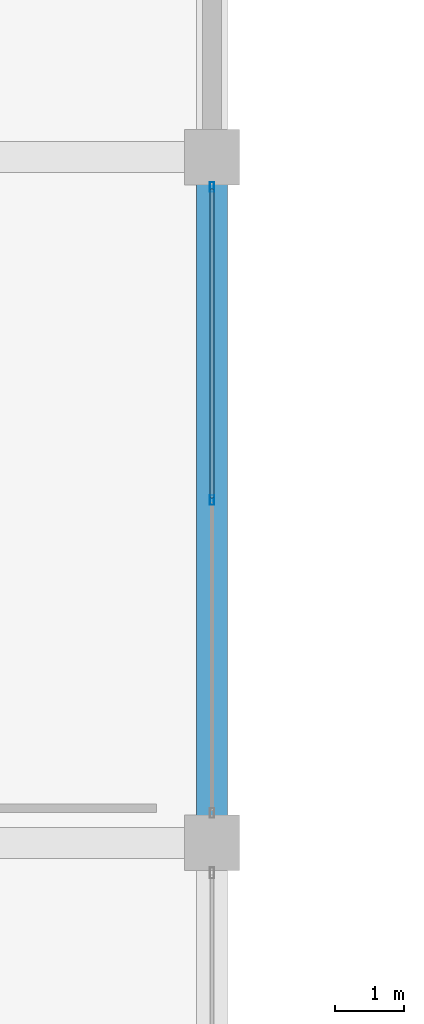
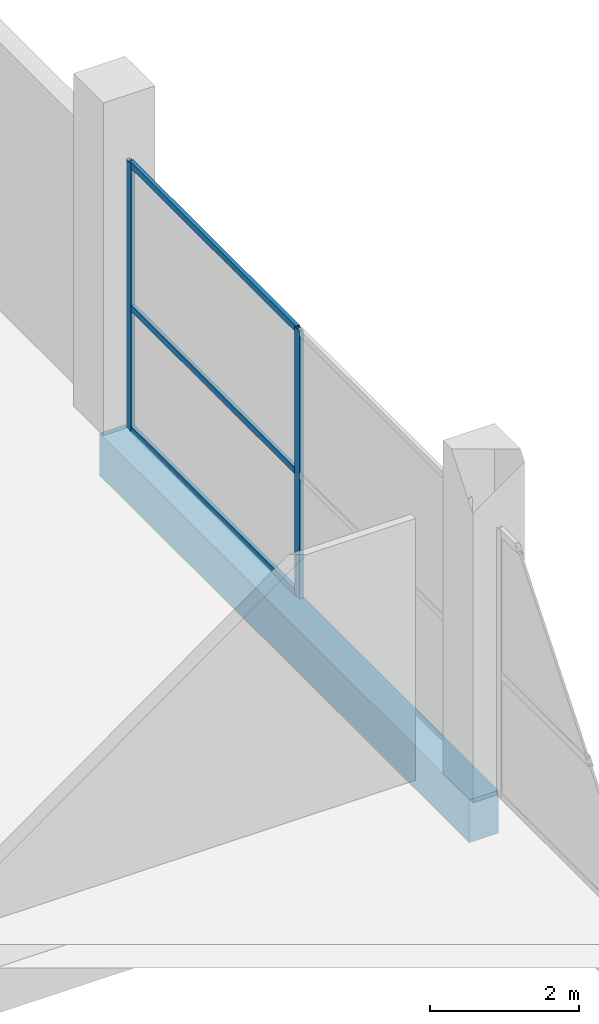
# One storey, part 30 of 72: 5 members, 1 beam, 1 element without a shape of its own.
"""IFC4 building model written with IfcOpenShell, lengths in metres."""

from ifc_helpers import new_model, si_unit, direction, frame, origin, origin_2d, place, context, subcontext, project, spatial, rectangle, hollow_rectangle, extrude, material, layer, layer_set, material_profile, profile_set, type_object, element, aggregate, save


model = new_model("IFC4")

# Units and contexts
model_context = context("Model", 3, precision=1e-05, world=origin(), true_north=direction((0.0, 1.0)))
body_context = subcontext(model_context, "Body", "Model", "MODEL_VIEW")
ifc_project = project(units=[si_unit("LENGTHUNIT", "METRE"), si_unit("AREAUNIT", "SQUARE_METRE"), si_unit("VOLUMEUNIT", "CUBIC_METRE"), si_unit("PLANEANGLEUNIT", "RADIAN"), si_unit("MASSUNIT", "GRAM", prefix="KILO")], contexts=[model_context])

# Site, building, storey
site_placement = place(None, origin())
site = spatial("IfcSite", under=ifc_project, at=site_placement, CompositionType="ELEMENT")
building_placement = place(site_placement, origin())
building = spatial("IfcBuilding", under=site, at=building_placement, Name="Sillaruma Civic Art Gallery", CompositionType="ELEMENT")
storey_placement = place(building_placement, frame((0.0, 0.0, 10.8798828125)))
storey = spatial("IfcBuildingStorey", under=building, at=storey_placement, Name="L02", CompositionType="ELEMENT", Elevation=10.8798828125)

# Beam
ifc_material_1 = material(Name="Concrete H35 (35 MPa)", Category="concrete")
ifc_material_profile_1 = material_profile(ifc_material_1, rectangle(XDim=0.449951171875, YDim=0.699951171875, at=origin_2d()), Name="RCB450x700")
ifc_profile_set_1 = profile_set([ifc_material_profile_1], Name="Concrete H35 (35 MPa)")
beam_type = type_object("IfcBeamType", Name="BM-SPANDREL-RCB450x700", PredefinedType="SPANDREL", material=ifc_profile_set_1)
beam_placement = place(storey_placement, frame((114.39990234375, 69.300048828125, -0.60986328125), z_axis=(0.0, 1.0, 0.0), x_axis=(-1.0, 0.0, 0.0)))
element("IfcBeam", 1, at=beam_placement, inside=storey, type_object=beam_type, Name="Beam BS-03 (L01:N:8-9)", PredefinedType="SPANDREL", context=body_context, shape_type="SweptSolid", body=[
    extrude(rectangle(XDim=0.449951171875, YDim=0.699951171875, at=origin_2d()), origin(), (0.0, 0.0, 1.0), 9.89990234375),
])

# Curtain wall, members
ifc_material_2 = material(Name="Thermally Broken Extruded Aluminium 6063-T6", Category="aluminium")
ifc_layer = layer(ifc_material_2, 0.139892578125, Name="Thermally Broken Extruded Aluminium 6063-T6")
ifc_layer_set = layer_set([ifc_layer], Name="Thermally Broken Extruded Aluminium 6063-T6")
curtain_wall_type = type_object("IfcCurtainWallType", Name="CW-UNI-18", PredefinedType="NOTDEFINED", material=ifc_layer_set)
curtain_wall_placement = place(storey_placement, origin())
curtain_wall = element("IfcCurtainWall", 2, at=curtain_wall_placement, inside=storey, type_object=curtain_wall_type, Name="Unitised Curtain Wall CW-18 (CW-L02-SPE-6)", PredefinedType="NOTDEFINED")
ifc_material_profile_2 = material_profile(ifc_material_2, hollow_rectangle(XDim=0.06005859375, YDim=0.139892578125, WallThickness=0.00341796875, at=origin_2d()), Name="CWM60x140")
ifc_profile_set_2 = profile_set([ifc_material_profile_2], Name="Thermally Broken Extruded Aluminium 6063-T6")
member_type_1 = type_object("IfcMemberType", Name="MEM-MUL-CWM60x140", PredefinedType="MULLION", material=ifc_profile_set_2)
member_1_placement = place(storey_placement, frame((114.39990234375, 74.25, 0.0), z_axis=(0.0, 0.0, 1.0), x_axis=(-1.0, 0.0, 0.0)))
member_1 = element("IfcMember", 3, at=member_1_placement, type_object=member_type_1, Name="CW-18 mullion 2", PredefinedType="MULLION", context=body_context, shape_type="SweptSolid", body=[
    extrude(hollow_rectangle(XDim=0.06005859375, YDim=0.139892578125, WallThickness=0.00341796875, at=origin_2d()), origin(), (0.0, 0.0, 1.0), 4.380126953125),
])
member_2_placement = place(storey_placement, frame((114.39990234375, 78.77001953125, 0.0), z_axis=(0.0, 0.0, 1.0), x_axis=(-1.0, 0.0, 0.0)))
member_2 = element("IfcMember", 4, at=member_2_placement, type_object=member_type_1, Name="CW-18 mullion 3", PredefinedType="MULLION", context=body_context, shape_type="SweptSolid", body=[
    extrude(hollow_rectangle(XDim=0.06005859375, YDim=0.139892578125, WallThickness=0.00341796875, at=origin_2d()), origin(), (0.0, 0.0, 1.0), 4.380126953125),
])
ifc_material_profile_3 = material_profile(ifc_material_2, hollow_rectangle(XDim=0.06005859375, YDim=0.10009765625, WallThickness=0.003173828125, at=origin_2d()), Name="CWT60x100")
ifc_profile_set_3 = profile_set([ifc_material_profile_3], Name="Thermally Broken Extruded Aluminium 6063-T6")
member_type_2 = type_object("IfcMemberType", Name="MEM-TRN-CWT60x100", PredefinedType="USERDEFINED", material=ifc_profile_set_3)
member_3_placement = place(storey_placement, frame((114.39990234375, 74.280029296875, 0.030029296875), z_axis=(0.0, 1.0, 0.0), x_axis=(-1.0, 0.0, 0.0)))
member_3 = element("IfcMember", 5, at=member_3_placement, type_object=member_type_2, Name="CW-18 transom 2.1", ObjectType="TRANSOM", PredefinedType="USERDEFINED", context=body_context, shape_type="SweptSolid", body=[
    extrude(hollow_rectangle(XDim=0.06005859375, YDim=0.10009765625, WallThickness=0.003173828125, at=origin_2d()), origin(), (0.0, 0.0, 1.0), 4.4599609375),
])
member_4_placement = place(storey_placement, frame((114.39990234375, 74.280029296875, 2.014892578125), z_axis=(0.0, 1.0, 0.0), x_axis=(-1.0, 0.0, 0.0)))
member_4 = element("IfcMember", 6, at=member_4_placement, type_object=member_type_2, Name="CW-18 transom 2.2", ObjectType="TRANSOM", PredefinedType="USERDEFINED", context=body_context, shape_type="SweptSolid", body=[
    extrude(hollow_rectangle(XDim=0.06005859375, YDim=0.10009765625, WallThickness=0.003173828125, at=origin_2d()), origin(), (0.0, 0.0, 1.0), 4.4599609375),
])
member_5_placement = place(storey_placement, frame((114.39990234375, 74.280029296875, 4.35009765625), z_axis=(0.0, 1.0, 0.0), x_axis=(-1.0, 0.0, 0.0)))
member_5 = element("IfcMember", 7, at=member_5_placement, type_object=member_type_2, Name="CW-18 transom 2.3", ObjectType="TRANSOM", PredefinedType="USERDEFINED", context=body_context, shape_type="SweptSolid", body=[
    extrude(hollow_rectangle(XDim=0.06005859375, YDim=0.10009765625, WallThickness=0.003173828125, at=origin_2d()), origin(), (0.0, 0.0, 1.0), 4.4599609375),
])
aggregate(curtain_wall, [member_1, member_2, member_3, member_4, member_5])

save(model, "model.ifc")
